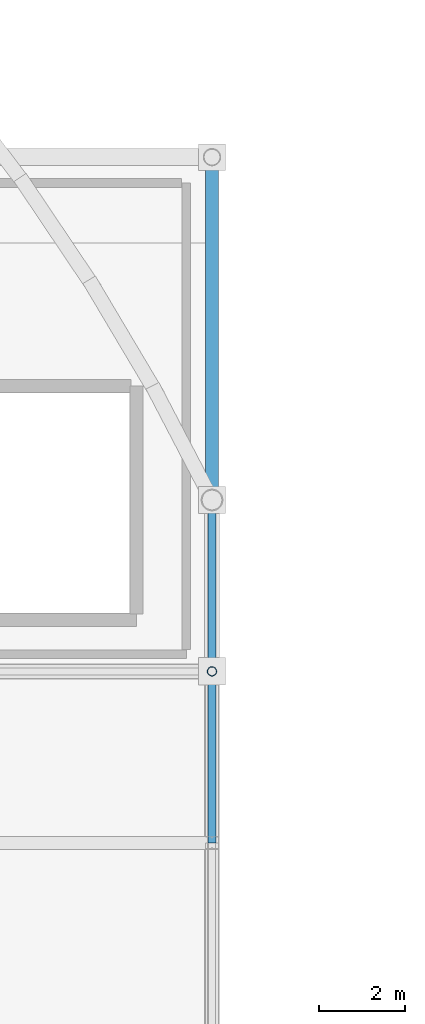
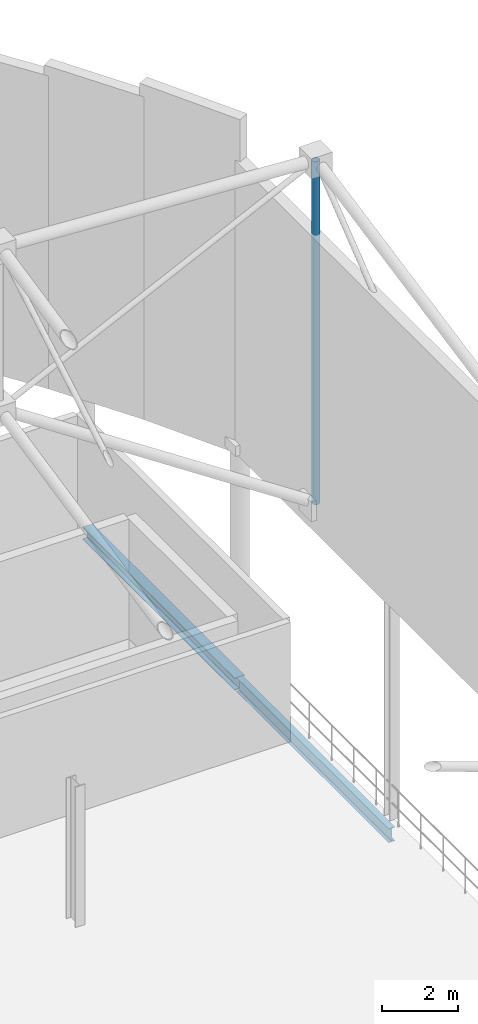
# One storey, part 120 of 193: 2 beams, 1 member.
"""IFC4 building model written with IfcOpenShell, lengths in metres."""

from ifc_helpers import new_model, si_unit, direction, frame, origin, origin_2d, place, context, subcontext, project, spatial, hollow_circle, i_section, extrude, material, material_profile, profile_set, type_object, element, save


model = new_model("IFC4")

# Units and contexts
model_context = context("Model", 3, precision=1e-05, world=origin(), true_north=direction((0.0, 1.0)))
body_context = subcontext(model_context, "Body", "Model", "MODEL_VIEW")
ifc_project = project(units=[si_unit("LENGTHUNIT", "METRE"), si_unit("AREAUNIT", "SQUARE_METRE"), si_unit("VOLUMEUNIT", "CUBIC_METRE"), si_unit("PLANEANGLEUNIT", "RADIAN"), si_unit("MASSUNIT", "GRAM", prefix="KILO")], contexts=[model_context])

# Site, building, storey
site_placement = place(None, origin())
site = spatial("IfcSite", under=ifc_project, at=site_placement, CompositionType="ELEMENT")
building_placement = place(site_placement, origin())
building = spatial("IfcBuilding", under=site, at=building_placement, Name="Danafjord Basin Convention Centre", CompositionType="ELEMENT")
storey_placement = place(building_placement, frame((0.0, 0.0, 11.39990234375)))
storey = spatial("IfcBuildingStorey", under=building, at=storey_placement, Name="L02", CompositionType="ELEMENT", Elevation=11.39990234375)

# Beams
ifc_material = material(Name="Steel S355", Category="steel")
ifc_material_profile_1 = material_profile(ifc_material, i_section(OverallWidth=0.300048828125, OverallDepth=0.39990234375, WebThickness=0.013427734375, FlangeThickness=0.02392578125, FilletRadius=0.027099609375, at=origin_2d()), Name="HEB 400")
ifc_profile_set_1 = profile_set([ifc_material_profile_1], Name="Steel S355")
beam_type_1 = type_object("IfcBeamType", Name="BEAM-SP-HEB400", PredefinedType="SPANDREL", material=ifc_profile_set_1)
beam_1_placement = place(storey_placement, frame((201.60009765625, 120.0, -0.559814453125), z_axis=(0.0, 1.0, 0.0), x_axis=(-1.0, 0.0, 0.0)))
element("IfcBeam", 1, at=beam_1_placement, inside=storey, type_object=beam_type_1, Name="L02 transverse girder SP-HEB400", PredefinedType="SPANDREL", context=body_context, shape_type="SweptSolid", body=[
    extrude(i_section(OverallWidth=0.300048828125, OverallDepth=0.39990234375, WebThickness=0.013427734375, FlangeThickness=0.02392578125, FilletRadius=0.027099609375, at=origin_2d()), origin(), (0.0, 0.0, 1.0), 8.0),
])
ifc_material_profile_2 = material_profile(ifc_material, i_section(OverallWidth=0.18994140625, OverallDepth=0.449951171875, WebThickness=0.009521484375, FlangeThickness=0.0146484375, FilletRadius=0.02099609375, at=origin_2d()), Name="IPE 450")
ifc_profile_set_2 = profile_set([ifc_material_profile_2], Name="Steel S355")
beam_type_2 = type_object("IfcBeamType", Name="BEAM-SP-IPE450", PredefinedType="SPANDREL", material=ifc_profile_set_2)
beam_2_placement = place(storey_placement, frame((201.60009765625, 112.0, -0.5849609375), z_axis=(0.0, 1.0, 0.0), x_axis=(-1.0, 0.0, 0.0)))
element("IfcBeam", 2, at=beam_2_placement, inside=storey, type_object=beam_type_2, Name="L02 transverse girder SP-IPE450", PredefinedType="SPANDREL", context=body_context, shape_type="SweptSolid", body=[
    extrude(i_section(OverallWidth=0.18994140625, OverallDepth=0.449951171875, WebThickness=0.009521484375, FlangeThickness=0.0146484375, FilletRadius=0.02099609375, at=origin_2d()), origin(), (0.0, 0.0, 1.0), 8.0),
])

# Member
ifc_material_profile_3 = material_profile(ifc_material, hollow_circle(Radius=0.109619140625, WallThickness=0.010009765625, at=origin_2d()), Name="CHS 219.1x10.0")
ifc_profile_set_3 = profile_set([ifc_material_profile_3], Name="Steel S355")
member_type = type_object("IfcMemberType", Name="MEM-ST-CHS219", PredefinedType="STRUT", material=ifc_profile_set_3)
member_placement = place(storey_placement, frame((201.60009765625, 116.0, 7.650146484375), z_axis=(0.0, 0.0, 1.0), x_axis=(1.0, 0.0, 0.0)))
element("IfcMember", 3, at=member_placement, inside=storey, type_object=member_type, Name="V2 roof truss vertical strut", PredefinedType="STRUT", context=body_context, shape_type="SweptSolid", body=[
    extrude(hollow_circle(Radius=0.109619140625, WallThickness=0.010009765625, at=origin_2d()), origin(), (0.0, 0.0, 1.0), 11.0),
])

save(model, "model.ifc")
